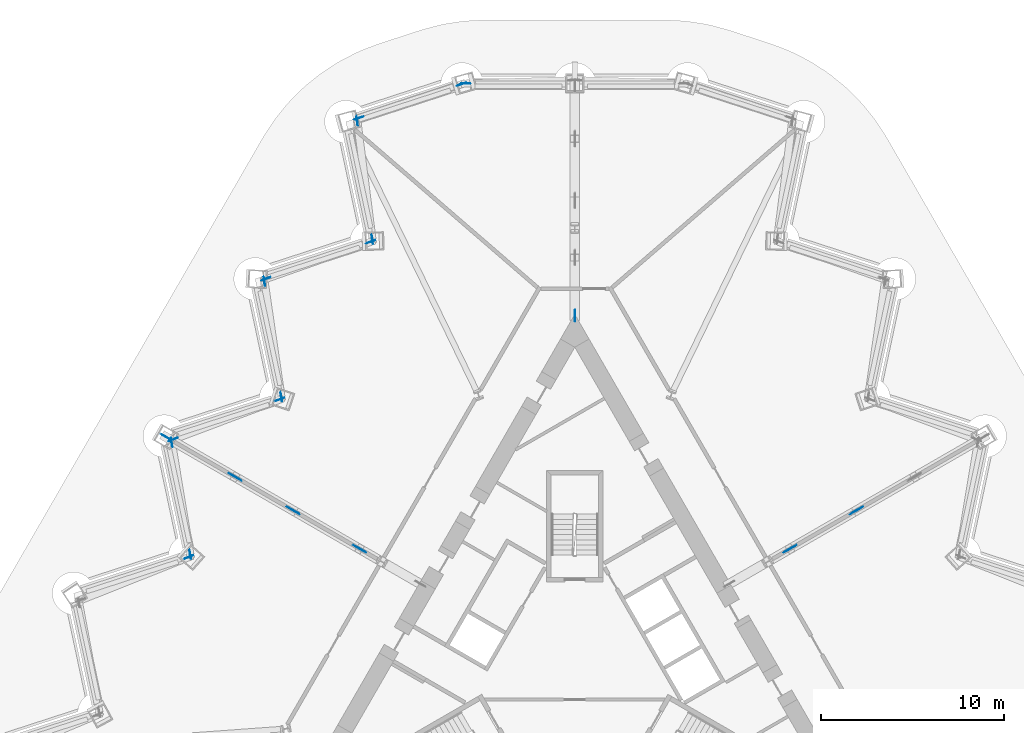
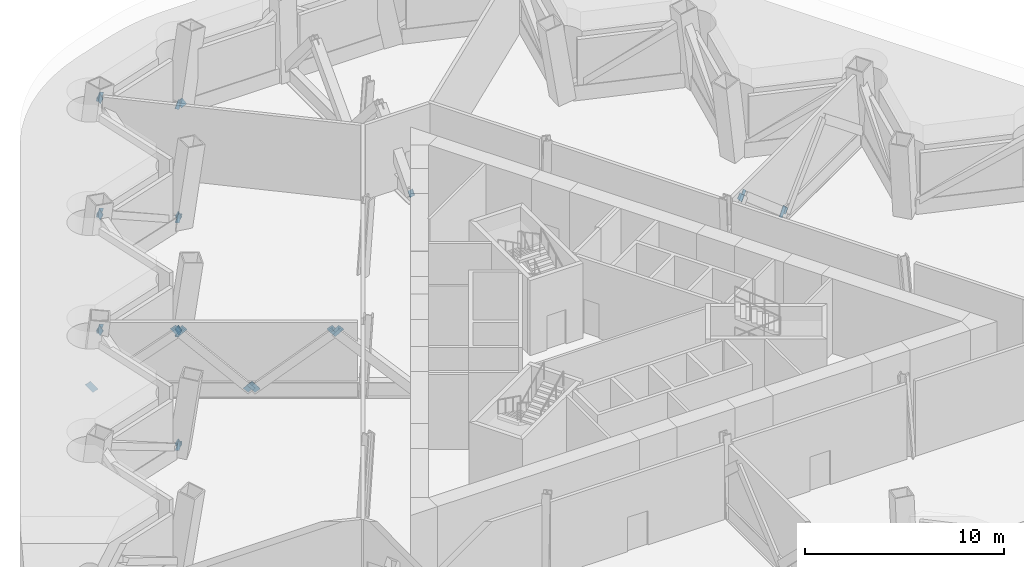
# One storey, part 10 of 14: 26 discrete accessories.
"""IFC4 building model written with IfcOpenShell, lengths in metres."""

from ifc_helpers import new_model, si_unit, direction, frame, origin, origin_2d, place, context, subcontext, project, spatial, rectangle, extrude, material, material_profile, profile_set, type_object, element, save


model = new_model("IFC4")

# Units and contexts
model_context = context("Model", 3, precision=1e-05, world=origin(), true_north=direction((0.0, 1.0)))
body_context = subcontext(model_context, "Body", "Model", "MODEL_VIEW")
ifc_project = project(units=[si_unit("LENGTHUNIT", "METRE"), si_unit("AREAUNIT", "SQUARE_METRE"), si_unit("VOLUMEUNIT", "CUBIC_METRE"), si_unit("PLANEANGLEUNIT", "RADIAN"), si_unit("MASSUNIT", "GRAM", prefix="KILO")], contexts=[model_context])

# Site, building, storey
site_placement = place(None, origin())
site = spatial("IfcSite", under=ifc_project, at=site_placement, CompositionType="ELEMENT")
building_placement = place(site_placement, origin())
building = spatial("IfcBuilding", under=site, at=building_placement, Name="Cormorant Prow Tower", CompositionType="ELEMENT")
storey_placement = place(building_placement, frame((0.0, 0.0, 94.60009765625)))
storey = spatial("IfcBuildingStorey", under=building, at=storey_placement, Name="L19", CompositionType="ELEMENT", Elevation=94.60009765625)

# Discrete accessories
ifc_material_1 = material(Name="Structural steel ASTM A500 Gr C", Category="steel")
ifc_material_profile_1 = material_profile(ifc_material_1, rectangle(XDim=0.031982421875, YDim=0.506103515625, at=origin_2d()), Name="Gusset plate 32x506")
ifc_profile_set_1 = profile_set([ifc_material_profile_1], Name="Structural steel ASTM A500 Gr C")
discrete_accessory_type_1 = type_object("IfcDiscreteAccessoryType", Name="Gusset plate 32x506", PredefinedType="BRACKET", material=ifc_profile_set_1)
discrete_accessory_1_placement = place(storey_placement, frame((-5.832275390625, 32.264404296875, 0.605712890625), z_axis=(-0.854100586258, -0.026494548798, -0.519432601439), x_axis=(0.031005493988, -0.999519214094, 0.0)))
element("IfcDiscreteAccessory", 1, at=discrete_accessory_1_placement, inside=storey, type_object=discrete_accessory_type_1, Name="Gusset plate GP2 L19.N01.g0", PredefinedType="BRACKET", context=body_context, shape_type="SweptSolid", body=[
    extrude(rectangle(XDim=0.031982421875, YDim=0.506103515625, at=origin_2d()), origin(), (0.0, 0.0, 1.0), 0.35009765625),
])
for number, where, z_axis, x_axis, name in (
    (2, (-6.332763671875, 32.176025390625, 0.604736328125), (0.813455201043, 0.267896052488, -0.516258017815), (-0.312804411353, 0.949817561555, 0.0), "Gusset plate GP2 L19.WNW00.g0"),
    (3, (-11.67626953125, 30.4130859375, 3.9951171875), (-0.813455201043, -0.267896052488, 0.516258017815), (0.312804411353, -0.949817561555, 0.0), "Gusset plate GP2 L19.WNW00.g1"),
):
    element("IfcDiscreteAccessory", number, at=place(storey_placement, frame(where, z_axis=z_axis, x_axis=x_axis)), inside=storey, type_object=discrete_accessory_type_1, Name=name, PredefinedType="BRACKET", context=body_context, shape_type="SweptSolid", body=[
        extrude(rectangle(XDim=0.031982421875, YDim=0.506103515625, at=origin_2d()), origin(), (0.0, 0.0, 1.0), 0.349853515625),
    ])
discrete_accessory_2_placement = place(storey_placement, frame((-11.10009765625, 23.89501953125, 0.593994140625), z_axis=(0.110914940068, -0.869880064557, -0.48063140696), x_axis=(0.991968902423, 0.126482001191, 0.0)))
element("IfcDiscreteAccessory", 4, at=discrete_accessory_2_placement, inside=storey, type_object=discrete_accessory_type_1, Name="Gusset plate GP2 L19.WNW01.g0", PredefinedType="BRACKET", context=body_context, shape_type="SweptSolid", body=[
    extrude(rectangle(XDim=0.031982421875, YDim=0.506103515625, at=origin_2d()), origin(), (0.0, 0.0, 1.0), 0.35009765625),
])
discrete_accessory_3_placement = place(storey_placement, frame((-11.886962890625, 30.07177734375, 4.005859375), z_axis=(-0.110952119107, 0.870171651111, 0.480094704061), x_axis=(-0.991968902423, -0.126482001191, 0.0)))
element("IfcDiscreteAccessory", 5, at=discrete_accessory_3_placement, inside=storey, type_object=discrete_accessory_type_1, Name="Gusset plate GP2 L19.WNW01.g1", PredefinedType="BRACKET", context=body_context, shape_type="SweptSolid", body=[
    extrude(rectangle(XDim=0.031982421875, YDim=0.506103515625, at=origin_2d()), origin(), (0.0, 0.0, 1.0), 0.349853515625),
])
for number, where, z_axis, x_axis, name in (
    (6, (-11.310546875, 23.5478515625, 0.60205078125), (0.812582371052, 0.287368186157, -0.50707929936), (-0.333412674989, 0.942780986315, 0.0), "Gusset plate GP2 L19.WNW02.g0"),
    (7, (-16.753662109375, 21.625, 3.997802734375), (-0.812582371052, -0.287368186157, 0.50707929936), (0.333412674989, -0.942780986315, 0.0), "Gusset plate GP2 L19.WNW02.g1"),
    (8, (-16.082763671875, 15.270751953125, 0.5966796875), (0.126206554254, -0.863224940143, -0.488788920065), (0.989480605965, 0.144665581324, 0.0), "Gusset plate GP2 L19.WNW03.g0"),
):
    element("IfcDiscreteAccessory", number, at=place(storey_placement, frame(where, z_axis=z_axis, x_axis=x_axis)), inside=storey, type_object=discrete_accessory_type_1, Name=name, PredefinedType="BRACKET", context=body_context, shape_type="SweptSolid", body=[
        extrude(rectangle(XDim=0.031982421875, YDim=0.506103515625, at=origin_2d()), origin(), (0.0, 0.0, 1.0), 0.35009765625),
    ])
for number, where, z_axis, x_axis, name in (
    (9, (-16.959716796875, 21.27978515625, 4.003173828125), (-0.125595898471, 0.863122924491, 0.489126249045), (-0.989578150356, -0.143996820585, 0.0), "Gusset plate GP2 L19.WNW03.g1"),
    (10, (-16.288330078125, 14.920166015625, 0.599365234375), (0.811441846797, 0.305598907048, -0.498168081352), (-0.352445837842, 0.935832213267, 0.0), "Gusset plate GP2 L19.WNW04.g0"),
):
    element("IfcDiscreteAccessory", number, at=place(storey_placement, frame(where, z_axis=z_axis, x_axis=x_axis)), inside=storey, type_object=discrete_accessory_type_1, Name=name, PredefinedType="BRACKET", context=body_context, shape_type="SweptSolid", body=[
        extrude(rectangle(XDim=0.031982421875, YDim=0.506103515625, at=origin_2d()), origin(), (0.0, 0.0, 1.0), 0.349853515625),
    ])
discrete_accessory_4_placement = place(storey_placement, frame((-21.8310546875, 12.83642578125, 4.00048828125), z_axis=(-0.811679957363, -0.305425963337, 0.497886159413), x_axis=(0.352180618684, -0.935932055132, 0.0)))
element("IfcDiscreteAccessory", 11, at=discrete_accessory_4_placement, inside=storey, type_object=discrete_accessory_type_1, Name="Gusset plate GP2 L19.WNW04.g1", PredefinedType="BRACKET", context=body_context, shape_type="SweptSolid", body=[
    extrude(rectangle(XDim=0.031982421875, YDim=0.506103515625, at=origin_2d()), origin(), (0.0, 0.0, 1.0), 0.35009765625),
])
discrete_accessory_5_placement = place(storey_placement, frame((-21.0654296875, 6.64599609375, 0.599365234375), z_axis=(0.141640436083, -0.855424505606, -0.498183602776), x_axis=(0.986567361509, 0.163354954638, 0.0)))
element("IfcDiscreteAccessory", 12, at=discrete_accessory_5_placement, inside=storey, type_object=discrete_accessory_type_1, Name="Gusset plate GP2 L19.WNW05.g0", PredefinedType="BRACKET", context=body_context, shape_type="SweptSolid", body=[
    extrude(rectangle(XDim=0.031982421875, YDim=0.506103515625, at=origin_2d()), origin(), (0.0, 0.0, 1.0), 0.349853515625),
])
for number, where, z_axis, x_axis, name in (
    (13, (-22.0322265625, 12.488037109375, 4.00048828125), (-0.141555937685, 0.855611505121, 0.497886401513), (-0.986588809369, -0.163225369439, 0.0), "Gusset plate GP2 L19.WNW05.g1"),
    (14, (-21.26611328125, 6.292724609375, 0.5966796875), (0.810570531344, 0.322275030534, -0.488993065811), (-0.369459572936, 0.929246804657, 0.0), "Gusset plate GP2 L19.WNW06.g0"),
):
    element("IfcDiscreteAccessory", number, at=place(storey_placement, frame(where, z_axis=z_axis, x_axis=x_axis)), inside=storey, type_object=discrete_accessory_type_1, Name=name, PredefinedType="BRACKET", context=body_context, shape_type="SweptSolid", body=[
        extrude(rectangle(XDim=0.031982421875, YDim=0.506103515625, at=origin_2d()), origin(), (0.0, 0.0, 1.0), 0.35009765625),
    ])
ifc_material_2 = material(Name="Structural steel ASTM A500 Gr C", Category="steel")
ifc_material_profile_2 = material_profile(ifc_material_2, rectangle(XDim=0.031982421875, YDim=0.60791015625, at=origin_2d()), Name="Gusset plate 32x608")
ifc_profile_set_2 = profile_set([ifc_material_profile_2], Name="Structural steel ASTM A500 Gr C")
discrete_accessory_type_2 = type_object("IfcDiscreteAccessoryType", Name="Gusset plate 32x608", PredefinedType="BRACKET", material=ifc_profile_set_2)
for number, where, z_axis, x_axis, name in (
    (15, (0.0, 19.680908203125, 0.72265625), (0.0, -0.670273867195, -0.74211383423), (1.0, 0.0, 0.0), "Gusset plate GP1 L19.01.1.g0"),
    (16, (-11.5849609375, 6.6884765625, 3.897216796875), (-0.638840237342, 0.368937211304, 0.675106277017), (-0.500104332946, -0.86596515875, 0.0), "Gusset plate GP1 L19.03.1.g1"),
    (17, (-11.973876953125, 6.9130859375, 3.904541015625), (0.657710191122, -0.37942136158, 0.65073553374), (0.499695946567, 0.866200877964, 0.0), "Gusset plate GP1 L19.03.2.g0"),
    (18, (-15.21630859375, 8.78515625, 0.6953125), (-0.657710191122, 0.37942136158, -0.65073553374), (-0.499695946567, -0.866200877964, 0.0), "Gusset plate GP1 L19.03.2.g1"),
):
    element("IfcDiscreteAccessory", number, at=place(storey_placement, frame(where, z_axis=z_axis, x_axis=x_axis)), inside=storey, type_object=discrete_accessory_type_2, Name=name, PredefinedType="BRACKET", context=body_context, shape_type="SweptSolid", body=[
        extrude(rectangle(XDim=0.031982421875, YDim=0.60791015625, at=origin_2d()), origin(), (0.0, 0.0, 1.0), 0.35009765625),
    ])
discrete_accessory_6_placement = place(storey_placement, frame((-15.59912109375, 9.006103515625, 0.710205078125), z_axis=(0.618186393784, -0.356538653751, -0.700518215981), x_axis=(0.499609594868, 0.866250686993, 0.0)))
element("IfcDiscreteAccessory", 19, at=discrete_accessory_6_placement, inside=storey, type_object=discrete_accessory_type_2, Name="Gusset plate GP1 L19.03.3.g0", PredefinedType="BRACKET", context=body_context, shape_type="SweptSolid", body=[
    extrude(rectangle(XDim=0.031982421875, YDim=0.60791015625, at=origin_2d()), origin(), (0.0, 0.0, 1.0), 0.349853515625),
])
discrete_accessory_7_placement = place(storey_placement, frame((-18.404296875, 10.625732421875, 3.8896484375), z_axis=(-0.61803251656, 0.35714745878, 0.700343844951), x_axis=(-0.500342721131, -0.865827443207, 0.0)))
element("IfcDiscreteAccessory", 20, at=discrete_accessory_7_placement, inside=storey, type_object=discrete_accessory_type_2, Name="Gusset plate GP1 L19.03.3.g1", PredefinedType="BRACKET", context=body_context, shape_type="SweptSolid", body=[
    extrude(rectangle(XDim=0.031982421875, YDim=0.60791015625, at=origin_2d()), origin(), (0.0, 0.0, 1.0), 0.35009765625),
])
for number, where, z_axis, x_axis, name in (
    (21, (-18.7919921875, 10.849609375, 3.911376953125), (0.673941095843, -0.389295167164, 0.627895430909), (0.500187988959, 0.865916841101, 0.0), "Gusset plate GP1 L19.03.4.g0"),
    (22, (-22.2548828125, 12.848876953125, 0.688232421875), (-0.674616757849, 0.389282472471, -0.627177316759), (-0.499799992569, -0.866140847338, 0.0), "Gusset plate GP1 L19.03.4.g1"),
):
    element("IfcDiscreteAccessory", number, at=place(storey_placement, frame(where, z_axis=z_axis, x_axis=x_axis)), inside=storey, type_object=discrete_accessory_type_2, Name=name, PredefinedType="BRACKET", context=body_context, shape_type="SweptSolid", body=[
        extrude(rectangle(XDim=0.031982421875, YDim=0.60791015625, at=origin_2d()), origin(), (0.0, 0.0, 1.0), 0.349853515625),
    ])
for number, where, z_axis, x_axis, name in (
    (23, (11.5849609375, 6.6884765625, 3.897216796875), (0.638840237342, 0.368937211304, 0.675106277017), (-0.500104332946, 0.86596515875, 0.0), "Gusset plate GP1 L19.11.1.g1"),
    (24, (11.973876953125, 6.9130859375, 3.904541015625), (-0.657710191122, -0.37942136158, 0.65073553374), (0.499695946567, -0.866200877964, 0.0), "Gusset plate GP1 L19.11.2.g0"),
    (25, (15.21630859375, 8.78515625, 0.6953125), (0.657710191122, 0.37942136158, -0.65073553374), (-0.499695946567, 0.866200877964, 0.0), "Gusset plate GP1 L19.11.2.g1"),
):
    element("IfcDiscreteAccessory", number, at=place(storey_placement, frame(where, z_axis=z_axis, x_axis=x_axis)), inside=storey, type_object=discrete_accessory_type_2, Name=name, PredefinedType="BRACKET", context=body_context, shape_type="SweptSolid", body=[
        extrude(rectangle(XDim=0.031982421875, YDim=0.60791015625, at=origin_2d()), origin(), (0.0, 0.0, 1.0), 0.35009765625),
    ])
discrete_accessory_8_placement = place(storey_placement, frame((15.59912109375, 9.006103515625, 0.710205078125), z_axis=(-0.618186393784, -0.356538653751, -0.700518215981), x_axis=(0.499609594868, -0.866250686993, 0.0)))
element("IfcDiscreteAccessory", 26, at=discrete_accessory_8_placement, inside=storey, type_object=discrete_accessory_type_2, Name="Gusset plate GP1 L19.11.3.g0", PredefinedType="BRACKET", context=body_context, shape_type="SweptSolid", body=[
    extrude(rectangle(XDim=0.031982421875, YDim=0.60791015625, at=origin_2d()), origin(), (0.0, 0.0, 1.0), 0.349853515625),
])

save(model, "model.ifc")
